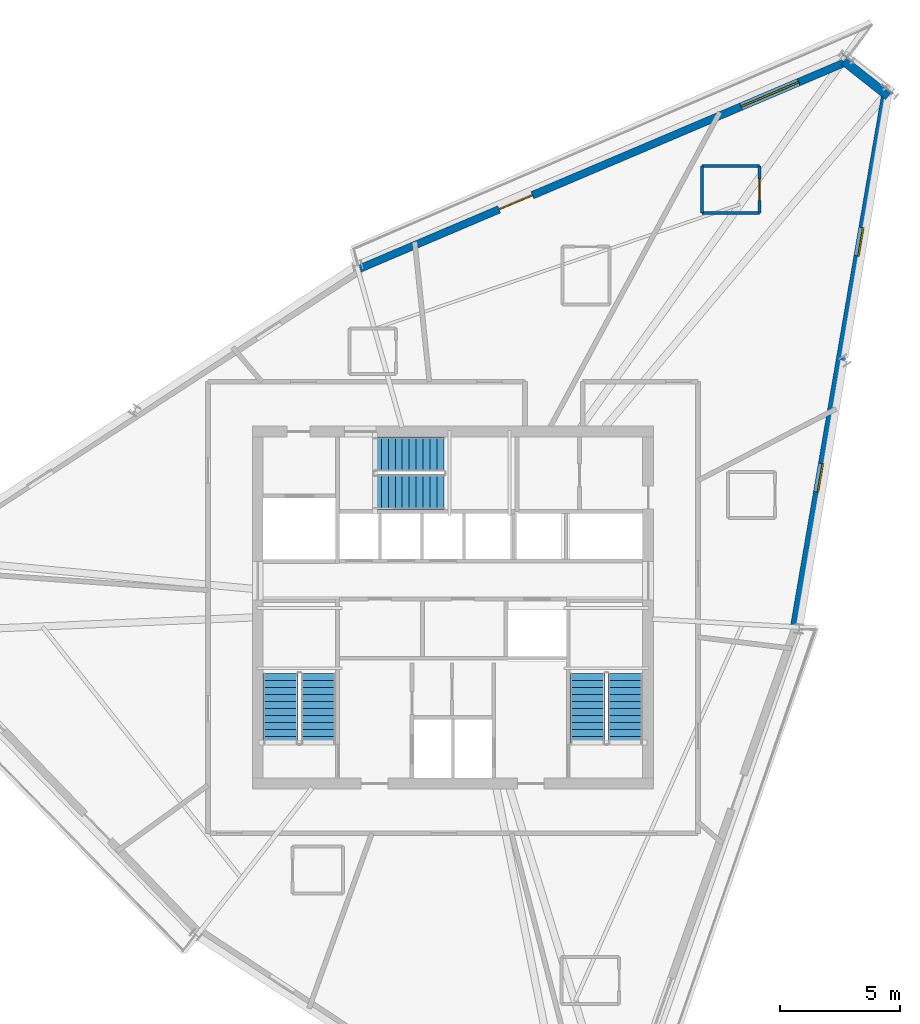
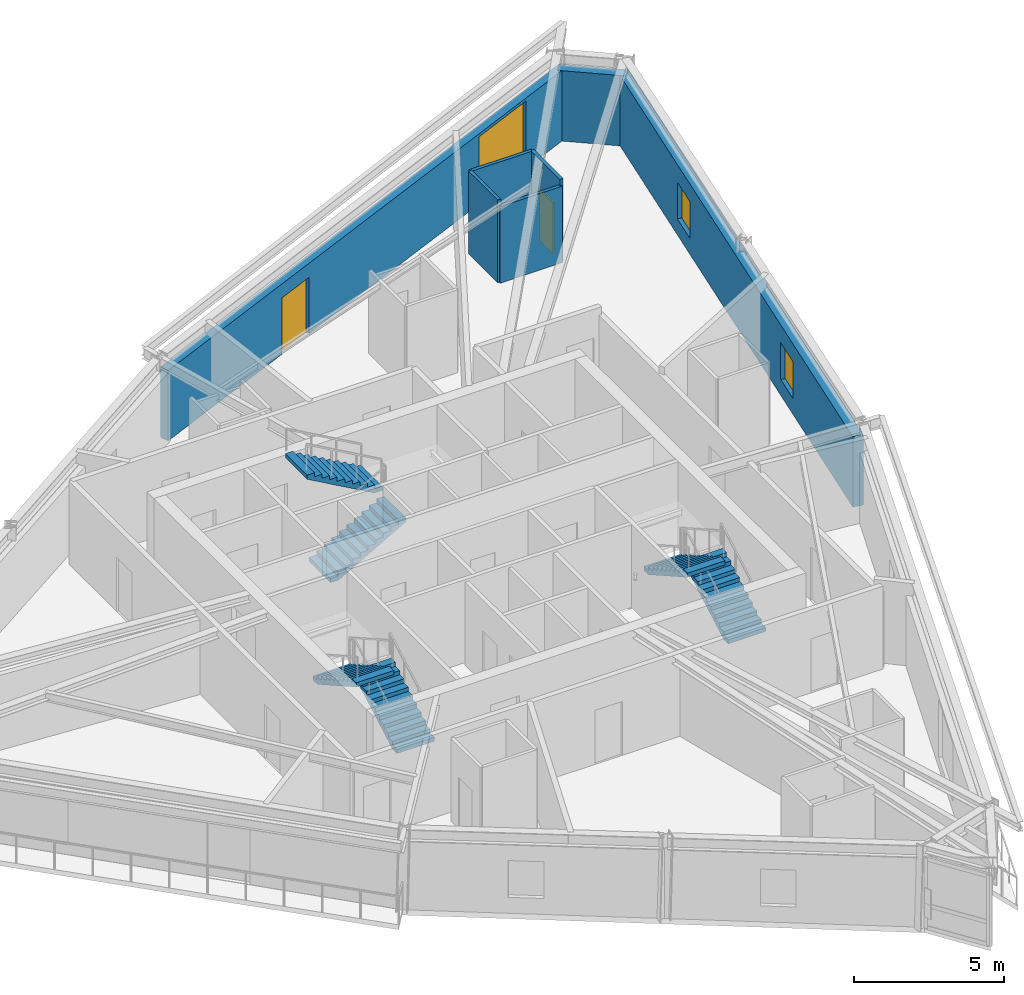
# One storey, part 10 of 13: 7 walls, 6 stair flights, 3 windows, 2 doors, 5 openings, 3 elements without a shape of their own.
"""IFC4 building model written with IfcOpenShell, lengths in metres."""

from ifc_helpers import new_model, si_unit, direction, frame, frame_2d, origin, place, context, subcontext, project, spatial, polyline, rectangle, outline, extrude, source, transform, mapped, material, layer, layer_set, type_object, type_shapes, element, fill, aggregate, save


model = new_model("IFC4")

# Units and contexts
model_context = context("Model", 3, precision=1e-05, world=origin(), true_north=direction((0.0, 1.0)))
body_context = subcontext(model_context, "Body", "Model", "MODEL_VIEW")
ifc_project = project(units=[si_unit("LENGTHUNIT", "METRE"), si_unit("AREAUNIT", "SQUARE_METRE"), si_unit("VOLUMEUNIT", "CUBIC_METRE"), si_unit("PLANEANGLEUNIT", "RADIAN"), si_unit("MASSUNIT", "GRAM", prefix="KILO")], contexts=[model_context])

# Site, building, storey
site_placement = place(None, origin())
site = spatial("IfcSite", under=ifc_project, at=site_placement, CompositionType="ELEMENT")
building_placement = place(site_placement, origin())
building = spatial("IfcBuilding", under=site, at=building_placement, Name="Olszyna Solenne Hotel", CompositionType="ELEMENT")
storey_placement = place(building_placement, frame((0.0, 0.0, 248.89990234375)))
storey = spatial("IfcBuildingStorey", under=building, at=storey_placement, Name="L66", CompositionType="ELEMENT", Elevation=248.89990234375)

# Wall, openings, door, window
ifc_material_1 = material(Name="Precast concrete C45/55", Category="concrete")
ifc_layer_1 = layer(ifc_material_1, 0.320068359375, Name="Precast concrete C45/55")
ifc_layer_set_1 = layer_set([ifc_layer_1], Name="Precast concrete C45/55")
wall_type_1 = type_object("IfcWallType", Name="WL-EX320", PredefinedType="SOLIDWALL", material=ifc_layer_set_1)
wall_1_placement = place(storey_placement, frame((34.09814453125, 40.697509765625, 0.0), z_axis=(0.0, 0.0, 1.0), x_axis=(0.920439131347, 0.390885923877, 0.0)))
wall_1 = element("IfcWall", 1, at=wall_1_placement, inside=storey, type_object=wall_type_1, Name="Exterior terracotta-precast frame wall WL-EX320 EW-L66-08", PredefinedType="SOLIDWALL", context=body_context, shape_type="SweptSolid", body=[
    extrude(rectangle(XDim=22.1240234375, YDim=0.320068359375, at=frame_2d((11.06201171875, 0.0))), origin(), (0.0, 0.0, 1.0), 2.8720703125),
])
opening_1_placement = place(wall_1_placement, frame((6.330078125, 0.0, 0.0)))
opening_1 = element("IfcOpeningElement", 2, at=opening_1_placement, cuts=wall_1, Name="Opening LDG-L66-1", PredefinedType="OPENING", context=body_context, shape_type="SweptSolid", body=[
    extrude(rectangle(XDim=1.5, YDim=2.300048828125, at=frame_2d((0.75, 1.14990234375))), frame((0.0, 0.169921875, 0.0), z_axis=(0.0, -1.0, 0.0), x_axis=(1.0, 0.0, 0.0)), (0.0, 0.0, 1.0), 0.340087890625),
])
opening_2_placement = place(wall_1_placement, frame((17.27197265625, 0.0, 0.402099609375)))
opening_2 = element("IfcOpeningElement", 3, at=opening_2_placement, cuts=wall_1, Name="Opening WN-L66-438", PredefinedType="OPENING", context=body_context, shape_type="SweptSolid", body=[
    extrude(rectangle(XDim=2.60009765625, YDim=2.35009765625, at=frame_2d((1.300048828125, 1.175048828125))), frame((0.0, 0.169921875, 0.0), z_axis=(0.0, -1.0, 0.0), x_axis=(1.0, 0.0, 0.0)), (0.0, 0.0, 1.0), 0.340087890625),
])
ifc_material_2 = material(Name="Anodised bronze aluminium", Category="aluminium")
door_type_1 = type_object("IfcDoorType", Name="DR-LG2", OperationType="DOUBLE_DOOR_SINGLE_SWING", PredefinedType="DOOR", material=ifc_material_2)
shared_shape_1 = source(origin(), body_context, "Body", "SweptSolid", [
    extrude(rectangle(XDim=1.5, YDim=2.300048828125, at=frame_2d((0.75, 1.14990234375))), frame((0.0, 0.02490234375, 0.0), z_axis=(0.0, -1.0, 0.0), x_axis=(1.0, 0.0, 0.0)), (0.0, 0.0, 1.0), 0.050048828125),
])
type_shapes(door_type_1, [shared_shape_1])
door_1_placement = place(opening_1_placement, origin())
door_1 = element("IfcDoor", 4, at=door_1_placement, inside=storey, type_object=door_type_1, Name="Exterior loggia balcony door DR-LG2 LDG-L66-1", OperationType="DOUBLE_DOOR_SINGLE_SWING", OverallHeight=2.300048828125, OverallWidth=1.5, PredefinedType="DOOR", context=body_context, shape_type="MappedRepresentation", body=[
    mapped(shared_shape_1, transform((0.0, 0.0, 0.0), x_axis=(1.0, 0.0, 0.0), y_axis=(0.0, 1.0, 0.0), z_axis=(0.0, 0.0, 1.0), scale=1.0)),
])
fill(opening_1, door_1)
ifc_material_3 = material(Name="Low-E triple glazing", Category="glass")
window_type_1 = type_object("IfcWindowType", Name="WN-ST1", PartitioningType="SINGLE_PANEL", PredefinedType="WINDOW", material=ifc_material_3)
shared_shape_2 = source(origin(), body_context, "Body", "SweptSolid", [
    extrude(rectangle(XDim=2.60009765625, YDim=2.35009765625, at=frame_2d((1.300048828125, 1.175048828125))), frame((0.0, 0.030029296875, 0.0), z_axis=(0.0, -1.0, 0.0), x_axis=(1.0, 0.0, 0.0)), (0.0, 0.0, 1.0), 0.06005859375),
])
type_shapes(window_type_1, [shared_shape_2])
window_1_placement = place(opening_2_placement, origin())
window_1 = element("IfcWindow", 5, at=window_1_placement, inside=storey, type_object=window_type_1, Name="Loggia room window WN-ST1 WN-L66-438", OverallHeight=2.35009765625, OverallWidth=2.60009765625, PartitioningType="SINGLE_PANEL", PredefinedType="WINDOW", context=body_context, shape_type="MappedRepresentation", body=[
    mapped(shared_shape_2, transform((0.0, 0.0, 0.0), x_axis=(1.0, 0.0, 0.0), y_axis=(0.0, 1.0, 0.0), z_axis=(0.0, 0.0, 1.0), scale=1.0)),
])
fill(opening_2, window_1)

# Wall
ifc_material_4 = material(Name="Terracotta cladding on precast concrete C45/55", Category="masonry")
ifc_layer_2 = layer(ifc_material_4, 0.3798828125, Name="Terracotta cladding on precast concrete C45/55")
ifc_layer_set_2 = layer_set([ifc_layer_2], Name="Terracotta cladding on precast concrete C45/55")
wall_type_2 = type_object("IfcWallType", Name="WL-EX380", PredefinedType="SOLIDWALL", material=ifc_layer_set_2)
wall_2_placement = place(storey_placement, frame((54.281494140625, 49.34375, 0.0), z_axis=(0.0, 0.0, 1.0), x_axis=(0.784802840653, -0.619745513339, 0.0)))
element("IfcWall", 6, at=wall_2_placement, inside=storey, type_object=wall_type_2, Name="Exterior terracotta-precast frame wall WL-EX380 EW-L66-09", PredefinedType="SOLIDWALL", context=body_context, shape_type="SweptSolid", body=[
    extrude(rectangle(XDim=2.345947265625, YDim=0.3798828125, at=frame_2d((1.1728515625, 0.0))), origin(), (0.0, 0.0, 1.0), 2.8720703125),
])

# Wall, openings, windows
wall_3_placement = place(storey_placement, frame((56.052978515625, 48.0712890625, 0.0), z_axis=(0.0, 0.0, 1.0), x_axis=(-0.168923450159, -0.985629173668, 0.0)))
wall_3 = element("IfcWall", 7, at=wall_3_placement, inside=storey, type_object=wall_type_2, Name="Exterior terracotta-precast frame wall WL-EX380 EW-L66-10", PredefinedType="SOLIDWALL", context=body_context, shape_type="SweptSolid", body=[
    extrude(rectangle(XDim=22.663330078125, YDim=0.3798828125, at=frame_2d((11.33154296875, 0.0))), origin(), (0.0, 0.0, 1.0), 2.8720703125),
])
opening_3_placement = place(wall_3_placement, frame((5.74609375, 0.0, 0.64990234375)))
opening_3 = element("IfcOpeningElement", 8, at=opening_3_placement, cuts=wall_3, Name="Opening WN-L66-439", PredefinedType="OPENING", context=body_context, shape_type="SweptSolid", body=[
    extrude(rectangle(XDim=1.199951171875, YDim=1.5, at=frame_2d((0.60009765625, 0.75))), frame((0.0, 0.199951171875, 0.0), z_axis=(0.0, -1.0, 0.0), x_axis=(1.0, 0.0, 0.0)), (0.0, 0.0, 1.0), 0.39990234375),
])
opening_4_placement = place(wall_3_placement, frame((15.718017578125, 0.0, 0.64990234375)))
opening_4 = element("IfcOpeningElement", 9, at=opening_4_placement, cuts=wall_3, Name="Opening WN-L66-440", PredefinedType="OPENING", context=body_context, shape_type="SweptSolid", body=[
    extrude(rectangle(XDim=1.199951171875, YDim=1.5, at=frame_2d((0.60009765625, 0.75))), frame((0.0, 0.199951171875, 0.0), z_axis=(0.0, -1.0, 0.0), x_axis=(1.0, 0.0, 0.0)), (0.0, 0.0, 1.0), 0.39990234375),
])
window_type_2 = type_object("IfcWindowType", Name="WN-B1", PartitioningType="SINGLE_PANEL", PredefinedType="WINDOW", material=ifc_material_3)
shared_shape_3 = source(origin(), body_context, "Body", "SweptSolid", [
    extrude(rectangle(XDim=1.199951171875, YDim=1.5, at=frame_2d((0.60009765625, 0.75))), frame((0.0, 0.030029296875, 0.0), z_axis=(0.0, -1.0, 0.0), x_axis=(1.0, 0.0, 0.0)), (0.0, 0.0, 1.0), 0.06005859375),
])
type_shapes(window_type_2, [shared_shape_3])
window_2_placement = place(opening_3_placement, origin())
window_2 = element("IfcWindow", 10, at=window_2_placement, inside=storey, type_object=window_type_2, Name="Exterior facade window WN-B1 WN-L66-439", OverallHeight=1.5, OverallWidth=1.199951171875, PartitioningType="SINGLE_PANEL", PredefinedType="WINDOW", context=body_context, shape_type="MappedRepresentation", body=[
    mapped(shared_shape_3, transform((0.0, 0.0, 0.0), x_axis=(1.0, 0.0, 0.0), y_axis=(0.0, 1.0, 0.0), z_axis=(0.0, 0.0, 1.0), scale=1.0)),
])
fill(opening_3, window_2)
window_3_placement = place(opening_4_placement, origin())
window_3 = element("IfcWindow", 11, at=window_3_placement, inside=storey, type_object=window_type_2, Name="Exterior facade window WN-B1 WN-L66-440", OverallHeight=1.5, OverallWidth=1.199951171875, PartitioningType="SINGLE_PANEL", PredefinedType="WINDOW", context=body_context, shape_type="MappedRepresentation", body=[
    mapped(shared_shape_3, transform((0.0, 0.0, 0.0), x_axis=(1.0, 0.0, 0.0), y_axis=(0.0, 1.0, 0.0), z_axis=(0.0, 0.0, 1.0), scale=1.0)),
])
fill(opening_4, window_3)

# Wall, opening, door
ifc_material_5 = material(Name="Acoustic gypsum partition", Category="gypsum")
ifc_layer_3 = layer(ifc_material_5, 0.125, Name="Acoustic gypsum partition")
ifc_layer_set_3 = layer_set([ifc_layer_3], Name="Acoustic gypsum partition")
wall_type_3 = type_object("IfcWallType", Name="WL-PT125", PredefinedType="PARTITIONING", material=ifc_layer_set_3)
wall_4_placement = place(storey_placement, frame((50.760009765625, 43.01904296875, 0.0), z_axis=(0.0, 0.0, 1.0), x_axis=(0.0, 1.0, 0.0)))
wall_4 = element("IfcWall", 12, at=wall_4_placement, inside=storey, type_object=wall_type_3, Name="Interior acoustic partition WL-PT125 PW-L66-3671", PredefinedType="PARTITIONING", context=body_context, shape_type="SweptSolid", body=[
    extrude(rectangle(XDim=1.949951171875, YDim=0.125, at=frame_2d((0.97509765625, 0.0))), origin(), (0.0, 0.0, 1.0), 3.380126953125),
])
opening_5_placement = place(wall_4_placement, frame((0.52490234375, 0.0, 0.0)))
opening_5 = element("IfcOpeningElement", 13, at=opening_5_placement, cuts=wall_4, Name="Opening DR-L66-0891", PredefinedType="OPENING", context=body_context, shape_type="SweptSolid", body=[
    extrude(rectangle(XDim=0.89990234375, YDim=2.10009765625, at=frame_2d((0.449951171875, 1.050048828125))), frame((0.0, 0.072509765625, 0.0), z_axis=(0.0, -1.0, 0.0), x_axis=(1.0, 0.0, 0.0)), (0.0, 0.0, 1.0), 0.14501953125),
])
ifc_material_6 = material(Name="Timber hardwood", Category="wood")
door_type_2 = type_object("IfcDoorType", Name="DR-WC1", OperationType="NOTDEFINED", PredefinedType="DOOR", material=ifc_material_6)
shared_shape_4 = source(origin(), body_context, "Body", "SweptSolid", [
    extrude(rectangle(XDim=0.89990234375, YDim=2.10009765625, at=frame_2d((0.449951171875, 1.050048828125))), frame((0.0, 0.02490234375, 0.0), z_axis=(0.0, -1.0, 0.0), x_axis=(1.0, 0.0, 0.0)), (0.0, 0.0, 1.0), 0.050048828125),
])
type_shapes(door_type_2, [shared_shape_4])
door_2_placement = place(opening_5_placement, origin())
door_2 = element("IfcDoor", 14, at=door_2_placement, inside=storey, type_object=door_type_2, Name="En-Suite Bathroom Door DR-L66-0891", OperationType="SINGLE_SWING_RIGHT", OverallHeight=2.10009765625, OverallWidth=0.89990234375, PredefinedType="DOOR", context=body_context, shape_type="MappedRepresentation", body=[
    mapped(shared_shape_4, transform((0.0, 0.0, 0.0), x_axis=(1.0, 0.0, 0.0), y_axis=(0.0, 1.0, 0.0), z_axis=(0.0, 0.0, 1.0), scale=1.0)),
])
fill(opening_5, door_2)

# Walls
wall_5_placement = place(storey_placement, frame((50.760009765625, 44.968994140625, 0.0), z_axis=(0.0, 0.0, 1.0), x_axis=(-1.0, 0.0, 0.0)))
element("IfcWall", 15, at=wall_5_placement, inside=storey, type_object=wall_type_3, Name="Interior acoustic partition WL-PT125 PW-L66-3672", PredefinedType="PARTITIONING", context=body_context, shape_type="SweptSolid", body=[
    extrude(rectangle(XDim=2.39990234375, YDim=0.125, at=frame_2d((1.199951171875, 0.0))), origin(), (0.0, 0.0, 1.0), 3.380126953125),
])
wall_6_placement = place(storey_placement, frame((48.360107421875, 44.968994140625, 0.0), z_axis=(0.0, 0.0, 1.0), x_axis=(0.0, -1.0, 0.0)))
element("IfcWall", 16, at=wall_6_placement, inside=storey, type_object=wall_type_3, Name="Interior acoustic partition WL-PT125 PW-L66-3673", PredefinedType="PARTITIONING", context=body_context, shape_type="SweptSolid", body=[
    extrude(rectangle(XDim=1.949951171875, YDim=0.125, at=frame_2d((0.97509765625, 0.0))), origin(), (0.0, 0.0, 1.0), 3.380126953125),
])
wall_7_placement = place(storey_placement, frame((48.360107421875, 43.01904296875, 0.0), z_axis=(0.0, 0.0, 1.0), x_axis=(1.0, 0.0, 0.0)))
element("IfcWall", 17, at=wall_7_placement, inside=storey, type_object=wall_type_3, Name="Interior acoustic partition WL-PT125 PW-L66-3674", PredefinedType="PARTITIONING", context=body_context, shape_type="SweptSolid", body=[
    extrude(rectangle(XDim=2.39990234375, YDim=0.125, at=frame_2d((1.199951171875, 0.0))), origin(), (0.0, 0.0, 1.0), 3.125),
])

# Stair, stair flights
ifc_material_7 = material(Name="Concrete C40/50", Category="concrete")
stair_type = type_object("IfcStairType", Name="STR-C1", PredefinedType="TWO_QUARTER_WINDING_STAIR", material=ifc_material_7)
stair_1_placement = place(storey_placement, origin())
stair_1 = element("IfcStair", 18, at=stair_1_placement, inside=storey, type_object=stair_type, Name="L66 ST1", PredefinedType="TWO_QUARTER_WINDING_STAIR")
stair_flight_type = type_object("IfcStairFlightType", Name="FLT-C1", PredefinedType="STRAIGHT", material=ifc_material_7)
stair_flight_1_placement = place(storey_placement, frame((32.39501953125, 20.949951171875, 0.0), z_axis=(0.0, 0.0, 1.0), x_axis=(0.0, 1.0, 0.0)))
stair_flight_1 = element("IfcStairFlight", 19, at=stair_flight_1_placement, type_object=stair_flight_type, Name="ST1 flight 1", NumberOfRisers=11, NumberOfTreads=10, PredefinedType="STRAIGHT", RiserHeight=0.163636364, TreadLength=0.29, context=body_context, shape_type="SweptSolid", body=[
    extrude(outline(polyline([(0.0, 0.0), (0.0, 0.16357421875), (0.2900390625, 0.16357421875), (0.2900390625, 0.327392578125), (0.580078125, 0.327392578125), (0.580078125, 0.490966796875), (0.8701171875, 0.490966796875), (0.8701171875, 0.654541015625), (1.159912109375, 0.654541015625), (1.159912109375, 0.818115234375), (1.449951171875, 0.818115234375), (1.449951171875, 0.98193359375), (1.739990234375, 0.98193359375), (1.739990234375, 1.1455078125), (2.030029296875, 1.1455078125), (2.030029296875, 1.30908203125), (2.320068359375, 1.30908203125), (2.320068359375, 1.47265625), (2.610107421875, 1.47265625), (2.610107421875, 1.636474609375), (2.89990234375, 1.636474609375), (2.89990234375, 1.800048828125), (2.89990234375, 1.46435546875), (0.304931640625, 0.0), (0.0, 0.0)])), frame((0.0, 0.72509765625, 0.0), z_axis=(0.0, -1.0, 0.0), x_axis=(1.0, 0.0, 0.0)), (0.0, 0.0, 1.0), 1.449951171875),
])
stair_flight_2_placement = place(storey_placement, frame((30.824951171875, 23.85009765625, 1.800048828125), z_axis=(0.0, 0.0, 1.0), x_axis=(0.0, -1.0, 0.0)))
stair_flight_2 = element("IfcStairFlight", 20, at=stair_flight_2_placement, type_object=stair_flight_type, Name="ST1 flight 2", NumberOfRisers=11, NumberOfTreads=10, PredefinedType="STRAIGHT", RiserHeight=0.163636364, TreadLength=0.29, context=body_context, shape_type="SweptSolid", body=[
    extrude(outline(polyline([(0.0, 0.0), (0.0, 0.16357421875), (0.2900390625, 0.16357421875), (0.2900390625, 0.327392578125), (0.580078125, 0.327392578125), (0.580078125, 0.490966796875), (0.8701171875, 0.490966796875), (0.8701171875, 0.654541015625), (1.159912109375, 0.654541015625), (1.159912109375, 0.818115234375), (1.449951171875, 0.818115234375), (1.449951171875, 0.98193359375), (1.739990234375, 0.98193359375), (1.739990234375, 1.1455078125), (2.030029296875, 1.1455078125), (2.030029296875, 1.30908203125), (2.320068359375, 1.30908203125), (2.320068359375, 1.47265625), (2.610107421875, 1.47265625), (2.610107421875, 1.636474609375), (2.89990234375, 1.636474609375), (2.89990234375, 1.800048828125), (2.89990234375, 1.46435546875), (0.304931640625, 0.0), (0.0, 0.0)])), frame((0.0, 0.72509765625, 0.0), z_axis=(0.0, -1.0, 0.0), x_axis=(1.0, 0.0, 0.0)), (0.0, 0.0, 1.0), 1.449951171875),
])
aggregate(stair_1, [stair_flight_1, stair_flight_2])

stair_2_placement = place(storey_placement, origin())
stair_2 = element("IfcStair", 21, at=stair_2_placement, inside=storey, type_object=stair_type, Name="L66 ST2", PredefinedType="TWO_QUARTER_WINDING_STAIR")
stair_flight_3_placement = place(storey_placement, frame((45.175048828125, 20.949951171875, 0.0), z_axis=(0.0, 0.0, 1.0), x_axis=(0.0, 1.0, 0.0)))
stair_flight_3 = element("IfcStairFlight", 22, at=stair_flight_3_placement, type_object=stair_flight_type, Name="ST2 flight 1", NumberOfRisers=11, NumberOfTreads=10, PredefinedType="STRAIGHT", RiserHeight=0.163636364, TreadLength=0.29, context=body_context, shape_type="SweptSolid", body=[
    extrude(outline(polyline([(0.0, 0.0), (0.0, 0.16357421875), (0.2900390625, 0.16357421875), (0.2900390625, 0.327392578125), (0.580078125, 0.327392578125), (0.580078125, 0.490966796875), (0.8701171875, 0.490966796875), (0.8701171875, 0.654541015625), (1.159912109375, 0.654541015625), (1.159912109375, 0.818115234375), (1.449951171875, 0.818115234375), (1.449951171875, 0.98193359375), (1.739990234375, 0.98193359375), (1.739990234375, 1.1455078125), (2.030029296875, 1.1455078125), (2.030029296875, 1.30908203125), (2.320068359375, 1.30908203125), (2.320068359375, 1.47265625), (2.610107421875, 1.47265625), (2.610107421875, 1.636474609375), (2.89990234375, 1.636474609375), (2.89990234375, 1.800048828125), (2.89990234375, 1.46435546875), (0.304931640625, 0.0), (0.0, 0.0)])), frame((0.0, 0.72509765625, 0.0), z_axis=(0.0, -1.0, 0.0), x_axis=(1.0, 0.0, 0.0)), (0.0, 0.0, 1.0), 1.449951171875),
])
stair_flight_4_placement = place(storey_placement, frame((43.60498046875, 23.85009765625, 1.800048828125), z_axis=(0.0, 0.0, 1.0), x_axis=(0.0, -1.0, 0.0)))
stair_flight_4 = element("IfcStairFlight", 23, at=stair_flight_4_placement, type_object=stair_flight_type, Name="ST2 flight 2", NumberOfRisers=11, NumberOfTreads=10, PredefinedType="STRAIGHT", RiserHeight=0.163636364, TreadLength=0.29, context=body_context, shape_type="SweptSolid", body=[
    extrude(outline(polyline([(0.0, 0.0), (0.0, 0.16357421875), (0.2900390625, 0.16357421875), (0.2900390625, 0.327392578125), (0.580078125, 0.327392578125), (0.580078125, 0.490966796875), (0.8701171875, 0.490966796875), (0.8701171875, 0.654541015625), (1.159912109375, 0.654541015625), (1.159912109375, 0.818115234375), (1.449951171875, 0.818115234375), (1.449951171875, 0.98193359375), (1.739990234375, 0.98193359375), (1.739990234375, 1.1455078125), (2.030029296875, 1.1455078125), (2.030029296875, 1.30908203125), (2.320068359375, 1.30908203125), (2.320068359375, 1.47265625), (2.610107421875, 1.47265625), (2.610107421875, 1.636474609375), (2.89990234375, 1.636474609375), (2.89990234375, 1.800048828125), (2.89990234375, 1.46435546875), (0.304931640625, 0.0), (0.0, 0.0)])), frame((0.0, 0.72509765625, 0.0), z_axis=(0.0, -1.0, 0.0), x_axis=(1.0, 0.0, 0.0)), (0.0, 0.0, 1.0), 1.449951171875),
])
aggregate(stair_2, [stair_flight_3, stair_flight_4])

stair_3_placement = place(storey_placement, origin())
stair_3 = element("IfcStair", 24, at=stair_3_placement, inside=storey, type_object=stair_type, Name="L66 ST3", PredefinedType="TWO_QUARTER_WINDING_STAIR")
stair_flight_5_placement = place(storey_placement, frame((34.72998046875, 31.405029296875, 0.0), z_axis=(0.0, 0.0, 1.0), x_axis=(1.0, 0.0, 0.0)))
stair_flight_5 = element("IfcStairFlight", 25, at=stair_flight_5_placement, type_object=stair_flight_type, Name="ST3 flight 1", NumberOfRisers=11, NumberOfTreads=10, PredefinedType="STRAIGHT", RiserHeight=0.163636364, TreadLength=0.29, context=body_context, shape_type="SweptSolid", body=[
    extrude(outline(polyline([(0.0, 0.0), (0.0, 0.16357421875), (0.2900390625, 0.16357421875), (0.2900390625, 0.327392578125), (0.580078125, 0.327392578125), (0.580078125, 0.490966796875), (0.8701171875, 0.490966796875), (0.8701171875, 0.654541015625), (1.159912109375, 0.654541015625), (1.159912109375, 0.818115234375), (1.449951171875, 0.818115234375), (1.449951171875, 0.98193359375), (1.739990234375, 0.98193359375), (1.739990234375, 1.1455078125), (2.030029296875, 1.1455078125), (2.030029296875, 1.30908203125), (2.320068359375, 1.30908203125), (2.320068359375, 1.47265625), (2.610107421875, 1.47265625), (2.610107421875, 1.636474609375), (2.89990234375, 1.636474609375), (2.89990234375, 1.800048828125), (2.89990234375, 1.46435546875), (0.304931640625, 0.0), (0.0, 0.0)])), frame((0.0, 0.72509765625, 0.0), z_axis=(0.0, -1.0, 0.0), x_axis=(1.0, 0.0, 0.0)), (0.0, 0.0, 1.0), 1.449951171875),
])
stair_flight_6_placement = place(storey_placement, frame((37.6298828125, 32.97509765625, 1.800048828125), z_axis=(0.0, 0.0, 1.0), x_axis=(-1.0, 0.0, 0.0)))
stair_flight_6 = element("IfcStairFlight", 26, at=stair_flight_6_placement, type_object=stair_flight_type, Name="ST3 flight 2", NumberOfRisers=11, NumberOfTreads=10, PredefinedType="STRAIGHT", RiserHeight=0.163636364, TreadLength=0.29, context=body_context, shape_type="SweptSolid", body=[
    extrude(outline(polyline([(0.0, 0.0), (0.0, 0.16357421875), (0.2900390625, 0.16357421875), (0.2900390625, 0.327392578125), (0.580078125, 0.327392578125), (0.580078125, 0.490966796875), (0.8701171875, 0.490966796875), (0.8701171875, 0.654541015625), (1.159912109375, 0.654541015625), (1.159912109375, 0.818115234375), (1.449951171875, 0.818115234375), (1.449951171875, 0.98193359375), (1.739990234375, 0.98193359375), (1.739990234375, 1.1455078125), (2.030029296875, 1.1455078125), (2.030029296875, 1.30908203125), (2.320068359375, 1.30908203125), (2.320068359375, 1.47265625), (2.610107421875, 1.47265625), (2.610107421875, 1.636474609375), (2.89990234375, 1.636474609375), (2.89990234375, 1.800048828125), (2.89990234375, 1.46435546875), (0.304931640625, 0.0), (0.0, 0.0)])), frame((0.0, 0.72509765625, 0.0), z_axis=(0.0, -1.0, 0.0), x_axis=(1.0, 0.0, 0.0)), (0.0, 0.0, 1.0), 1.449951171875),
])
aggregate(stair_3, [stair_flight_5, stair_flight_6])

save(model, "model.ifc")
